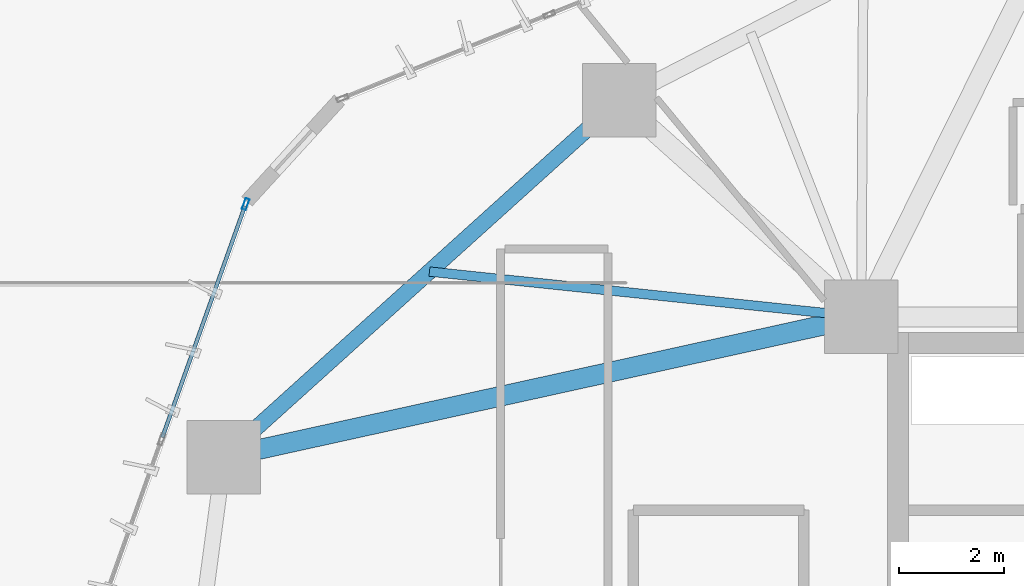
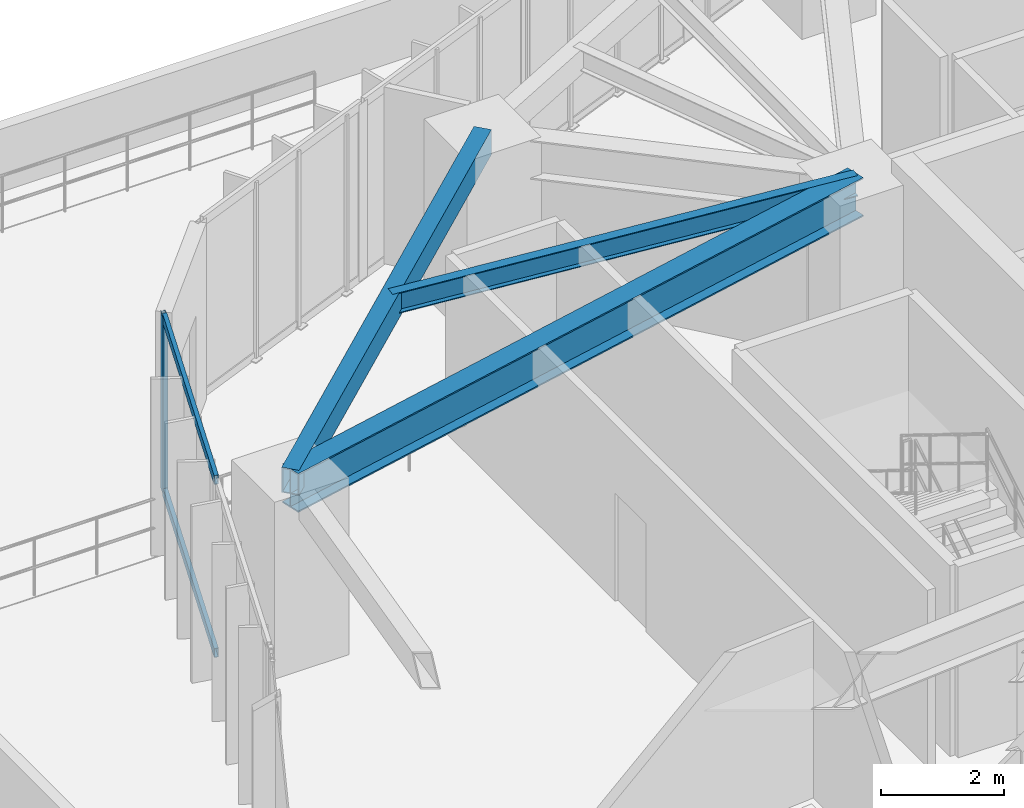
# One storey, part 7 of 23: 3 beams, 3 members, 1 element without a shape of its own.
"""IFC4 building model written with IfcOpenShell, lengths in metres."""

from ifc_helpers import new_model, si_unit, direction, frame, origin, origin_2d, place, context, subcontext, project, spatial, hollow_rectangle, i_section, extrude, source, transform, mapped, material, layer, layer_set, material_profile, profile_set, type_object, type_shapes, element, aggregate, save


model = new_model("IFC4")

# Units and contexts
model_context = context("Model", 3, precision=1e-05, world=origin(), true_north=direction((0.0, 1.0)))
body_context = subcontext(model_context, "Body", "Model", "MODEL_VIEW")
ifc_project = project(units=[si_unit("LENGTHUNIT", "METRE"), si_unit("AREAUNIT", "SQUARE_METRE"), si_unit("VOLUMEUNIT", "CUBIC_METRE"), si_unit("PLANEANGLEUNIT", "RADIAN"), si_unit("MASSUNIT", "GRAM", prefix="KILO")], contexts=[model_context])

# Site, building, storey
site_placement = place(None, origin())
site = spatial("IfcSite", under=ifc_project, at=site_placement, CompositionType="ELEMENT")
building_placement = place(site_placement, origin())
building = spatial("IfcBuilding", under=site, at=building_placement, Name="Talar Marvaseh", CompositionType="ELEMENT")
storey_placement = place(building_placement, frame((0.0, 0.0, 24.0)))
storey = spatial("IfcBuildingStorey", under=building, at=storey_placement, Name="L05", CompositionType="ELEMENT", Elevation=24.0)

# Beams
ifc_material_1 = material(Name="Steel S355", Category="steel")
ifc_material_profile_1 = material_profile(ifc_material_1, hollow_rectangle(XDim=0.300048828125, YDim=0.5, WallThickness=0.02001953125, at=origin_2d()), Name="RHS500x300x20")
ifc_profile_set_1 = profile_set([ifc_material_profile_1], Name="Steel S355")
beam_type_1 = type_object("IfcBeamType", Name="Zone 1 Perimeter Spandrel Beam RHS500x300x20", PredefinedType="SPANDREL", material=ifc_profile_set_1)
beam_1_placement = place(storey_placement, frame((6.501953125, 34.214111328125, 3.27001953125), z_axis=(0.742394279812, 0.669963232799, 0.0), x_axis=(-0.669963232799, 0.742394279812, 0.0)))
element("IfcBeam", 1, at=beam_1_placement, inside=storey, type_object=beam_type_1, Name="L05 Zone 1 Perimeter Spandrel Beam RHS500x300x20", PredefinedType="SPANDREL", context=body_context, shape_type="SweptSolid", body=[
    extrude(hollow_rectangle(XDim=0.300048828125, YDim=0.5, WallThickness=0.02001953125, at=origin_2d()), origin(), (0.0, 0.0, 1.0), 10.19287109375),
])
ifc_material_profile_2 = material_profile(ifc_material_1, i_section(OverallWidth=0.381103515625, OverallDepth=0.77294921875, WebThickness=0.0166015625, FlangeThickness=0.027099609375, at=origin_2d()), Name="W760x257")
ifc_profile_set_2 = profile_set([ifc_material_profile_2], Name="Steel S355")
beam_type_2 = type_object("IfcBeamType", Name="Zone 1 Radial Floor Girder W760x257", PredefinedType="BEAM", material=ifc_profile_set_2)
beam_2_placement = place(storey_placement, frame((6.501953125, 34.214111328125, 3.133544921875), z_axis=(0.976606962034, 0.215032187606, 0.0), x_axis=(-0.215032187606, 0.976606962034, 0.0)))
element("IfcBeam", 2, at=beam_2_placement, inside=storey, type_object=beam_type_2, Name="L05 Zone 1 Radial Floor Girder W760x257", PredefinedType="BEAM", context=body_context, shape_type="SweptSolid", body=[
    extrude(i_section(OverallWidth=0.381103515625, OverallDepth=0.77294921875, WebThickness=0.0166015625, FlangeThickness=0.027099609375, at=origin_2d()), origin(), (0.0, 0.0, 1.0), 12.490234375),
])
ifc_material_profile_3 = material_profile(ifc_material_1, i_section(OverallWidth=0.179931640625, OverallDepth=0.4130859375, WebThickness=0.009765625, FlangeThickness=0.01611328125, at=origin_2d()), Name="W410x75")
ifc_profile_set_3 = profile_set([ifc_material_profile_3], Name="Steel S355")
beam_type_3 = type_object("IfcBeamType", Name="Zone 1 Secondary Floor Joist W410x75", PredefinedType="JOIST", material=ifc_profile_set_3)
beam_3_placement = place(storey_placement, frame((10.436767578125, 37.76513671875, 3.3134765625), z_axis=(0.994562624593, -0.104140221638, 0.0), x_axis=(0.104140221638, 0.994562624593, 0.0)))
element("IfcBeam", 3, at=beam_3_placement, inside=storey, type_object=beam_type_3, Name="L05 Zone 1 Secondary Floor Joist W410x75", PredefinedType="JOIST", context=body_context, shape_type="SweptSolid", body=[
    extrude(i_section(OverallWidth=0.179931640625, OverallDepth=0.4130859375, WebThickness=0.009765625, FlangeThickness=0.01611328125, at=origin_2d()), origin(), (0.0, 0.0, 1.0), 8.308349609375),
])

# Curtain wall, members
ifc_material_2 = material(Name="Architectural Aluminium", Category="aluminium")
ifc_layer = layer(ifc_material_2, 0.219970703125)
ifc_layer_set = layer_set([ifc_layer], Name="Architectural Aluminium")
curtain_wall_type = type_object("IfcCurtainWallType", Name="Unitised Low-E Museum Curtain Wall Z1", PredefinedType="NOTDEFINED", material=ifc_layer_set)
curtain_wall_placement = place(storey_placement, origin())
curtain_wall = element("IfcCurtainWall", 4, at=curtain_wall_placement, inside=storey, type_object=curtain_wall_type, Name="L05 Unitised Low-E Museum Curtain Wall Z1", PredefinedType="NOTDEFINED")
ifc_material_profile_4 = material_profile(ifc_material_2, hollow_rectangle(XDim=0.080078125, YDim=0.219970703125, WallThickness=0.0048828125, at=origin_2d()), Name="RHS220x80x5")
ifc_profile_set_4 = profile_set([ifc_material_profile_4], Name="Architectural Aluminium")
member_type_1 = type_object("IfcMemberType", Name="Unitised Curtain Wall Heavy Mullion RHS220x80x5", PredefinedType="MULLION", material=ifc_profile_set_4)
shared_shape_1 = source(origin(), body_context, "Body", "SweptSolid", [
    extrude(hollow_rectangle(XDim=0.080078125, YDim=0.219970703125, WallThickness=0.0048828125, at=origin_2d()), origin(), (0.0, 0.0, 1.0), 3.52001953125),
])
type_shapes(member_type_1, [shared_shape_1])
member_1_placement = place(storey_placement, frame((6.920166015625, 39.054443359375, 0.0), z_axis=(0.0, 0.0, 1.0), x_axis=(-0.941741911595, 0.336336396997, 0.0)))
member_1 = element("IfcMember", 5, at=member_1_placement, type_object=member_type_1, Name="CW-Z1 mullion 5", PredefinedType="MULLION", context=body_context, shape_type="MappedRepresentation", body=[
    mapped(shared_shape_1, transform((0.0, 0.0, 0.0), x_axis=(1.0, 0.0, 0.0), y_axis=(0.0, 1.0, 0.0), z_axis=(0.0, 0.0, 1.0), scale=1.0)),
])
ifc_material_profile_5 = material_profile(ifc_material_2, hollow_rectangle(XDim=0.074951171875, YDim=0.179931640625, WallThickness=0.0048828125, at=origin_2d()), Name="RHS180x75x5")
ifc_profile_set_5 = profile_set([ifc_material_profile_5], Name="Architectural Aluminium")
member_type_2 = type_object("IfcMemberType", Name="Unitised Curtain Wall Transom RHS180x75x5", PredefinedType="USERDEFINED", material=ifc_profile_set_5)
shared_shape_2 = source(origin(), body_context, "Body", "SweptSolid", [
    extrude(hollow_rectangle(XDim=0.074951171875, YDim=0.179931640625, WallThickness=0.0048828125, at=origin_2d()), origin(), (0.0, 0.0, 1.0), 4.69677734375),
])
type_shapes(member_type_2, [shared_shape_2])
member_2_placement = place(storey_placement, frame((5.326904296875, 34.59375, 0.03759765625), z_axis=(0.336319932236, 0.941747791705, 0.0), x_axis=(-0.941747791705, 0.336319932236, 0.0)))
member_2 = element("IfcMember", 6, at=member_2_placement, type_object=member_type_2, Name="CW-Z1 transom 4.1", ObjectType="TRANSOM", PredefinedType="USERDEFINED", context=body_context, shape_type="MappedRepresentation", body=[
    mapped(shared_shape_2, transform((0.0, 0.0, 0.0), x_axis=(1.0, 0.0, 0.0), y_axis=(0.0, 1.0, 0.0), z_axis=(0.0, 0.0, 1.0), scale=1.0)),
])
member_3_placement = place(storey_placement, frame((5.326904296875, 34.59375, 3.482421875), z_axis=(0.336319932236, 0.941747791705, 0.0), x_axis=(-0.941747791705, 0.336319932236, 0.0)))
member_3 = element("IfcMember", 7, at=member_3_placement, type_object=member_type_2, Name="CW-Z1 transom 4.2", ObjectType="TRANSOM", PredefinedType="USERDEFINED", context=body_context, shape_type="MappedRepresentation", body=[
    mapped(shared_shape_2, transform((0.0, 0.0, 0.0), x_axis=(1.0, 0.0, 0.0), y_axis=(0.0, 1.0, 0.0), z_axis=(0.0, 0.0, 1.0), scale=1.0)),
])
aggregate(curtain_wall, [member_1, member_2, member_3])

save(model, "model.ifc")
